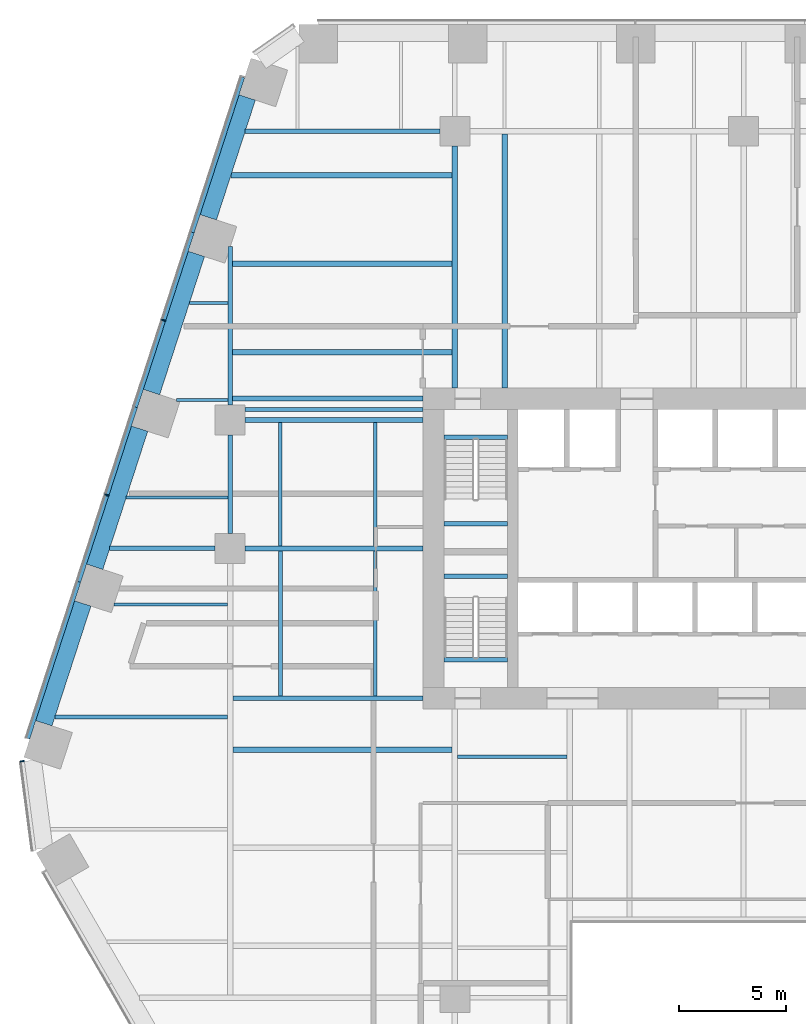
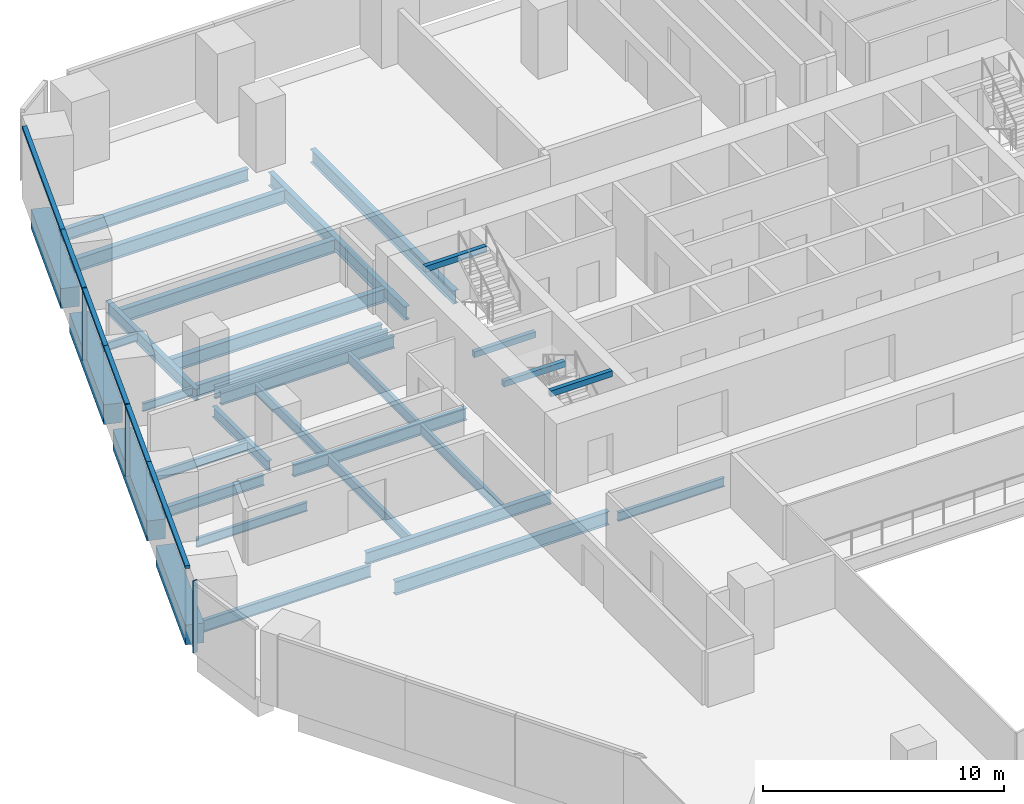
# One storey, part 8 of 21: 33 beams, 9 members, 2 elements without a shape of their own.
"""IFC4 building model written with IfcOpenShell, lengths in metres."""

from ifc_helpers import new_model, si_unit, direction, frame, origin, origin_2d, place, context, subcontext, project, spatial, rectangle, i_section, extrude, material, layer, layer_set, material_profile, profile_set, type_object, element, aggregate, save


model = new_model("IFC4")

# Units and contexts
model_context = context("Model", 3, precision=1e-05, world=origin(), true_north=direction((0.0, 1.0)))
body_context = subcontext(model_context, "Body", "Model", "MODEL_VIEW")
ifc_project = project(units=[si_unit("LENGTHUNIT", "METRE"), si_unit("AREAUNIT", "SQUARE_METRE"), si_unit("VOLUMEUNIT", "CUBIC_METRE"), si_unit("PLANEANGLEUNIT", "RADIAN"), si_unit("MASSUNIT", "GRAM", prefix="KILO")], contexts=[model_context])

# Site, building, storey
site_placement = place(None, origin())
site = spatial("IfcSite", under=ifc_project, at=site_placement, CompositionType="ELEMENT")
building_placement = place(site_placement, origin())
building = spatial("IfcBuilding", under=site, at=building_placement, Name="Isthmus Gate Tower", CompositionType="ELEMENT")
storey_placement = place(building_placement, frame((0.0, 0.0, 50.60009765625)))
storey = spatial("IfcBuildingStorey", under=building, at=storey_placement, Name="L10", CompositionType="ELEMENT", Elevation=50.60009765625)

# Curtain wall, members
ifc_material_1 = material(Name="Aluminium, pale champagne anodised", Category="aluminium")
ifc_layer = layer(ifc_material_1, 0.199951171875)
ifc_layer_set = layer_set([ifc_layer], Name="CW-1 UNITISED CURTAIN WALL 200 DEEP")
curtain_wall_type = type_object("IfcCurtainWallType", Name="CW-1 UNITISED CURTAIN WALL 200 DEEP", PredefinedType="NOTDEFINED", material=ifc_layer_set)
curtain_wall_1_placement = place(storey_placement, origin())
curtain_wall_1 = element("IfcCurtainWall", 1, at=curtain_wall_1_placement, inside=storey, type_object=curtain_wall_type, Name="CW-1 NW L10", PredefinedType="NOTDEFINED")
ifc_material_2 = material(Name="Aluminium, pale champagne anodised", Category="aluminium")
ifc_material_profile_1 = material_profile(ifc_material_2, rectangle(XDim=0.06005859375, YDim=0.199951171875, at=origin_2d()), Name="60x200")
ifc_profile_set_1 = profile_set([ifc_material_profile_1], Name="Aluminium, pale champagne anodised")
member_type_1 = type_object("IfcMemberType", Name="CW-1 MULLION 60 X 200", PredefinedType="MULLION", material=ifc_profile_set_1)
member_1_placement = place(storey_placement, frame((-27.11474609375, 18.163818359375, 0.0), z_axis=(0.0, 0.0, 1.0), x_axis=(-0.309016994375, -0.951056516295, 0.0)))
member_1 = element("IfcMember", 2, at=member_1_placement, type_object=member_type_1, Name="CW-1 mullion", PredefinedType="MULLION", context=body_context, shape_type="SweptSolid", body=[
    extrude(rectangle(XDim=0.06005859375, YDim=0.199951171875, at=origin_2d()), origin(), (0.0, 0.0, 1.0), 3.64990234375),
])
member_2_placement = place(storey_placement, frame((-29.76904296875, 9.994873046875, 0.0), z_axis=(0.0, 0.0, 1.0), x_axis=(-0.309016994375, -0.951056516295, 0.0)))
member_2 = element("IfcMember", 3, at=member_2_placement, type_object=member_type_1, Name="CW-1 mullion", PredefinedType="MULLION", context=body_context, shape_type="SweptSolid", body=[
    extrude(rectangle(XDim=0.06005859375, YDim=0.199951171875, at=origin_2d()), origin(), (0.0, 0.0, 1.0), 3.64990234375),
])

# Curtain wall, member
curtain_wall_2_placement = place(storey_placement, origin())
curtain_wall_2 = element("IfcCurtainWall", 4, at=curtain_wall_2_placement, inside=storey, type_object=curtain_wall_type, Name="CW-1 NW-SW L10", PredefinedType="NOTDEFINED")
member_3_placement = place(storey_placement, frame((-33.722900390625, -2.44482421875, 0.0), z_axis=(0.0, 0.0, 1.0), x_axis=(0.129164534, -0.991623175988, 0.0)))
member_3 = element("IfcMember", 5, at=member_3_placement, type_object=member_type_1, Name="CW-1 mullion", PredefinedType="MULLION", context=body_context, shape_type="SweptSolid", body=[
    extrude(rectangle(XDim=0.06005859375, YDim=0.199951171875, at=origin_2d()), origin(), (0.0, 0.0, 1.0), 3.64990234375),
])
aggregate(curtain_wall_2, [member_3])

# Member
ifc_material_3 = material(Name="Aluminium, pale champagne anodised", Category="aluminium")
ifc_material_profile_2 = material_profile(ifc_material_3, rectangle(XDim=0.199951171875, YDim=0.14990234375, at=origin_2d()), Name="200x150")
ifc_profile_set_2 = profile_set([ifc_material_profile_2], Name="Aluminium, pale champagne anodised")
member_type_2 = type_object("IfcMemberType", Name="CW-1 TRANSOM 200 X 150", PredefinedType="USERDEFINED", material=ifc_profile_set_2)
member_4_placement = place(storey_placement, frame((-23.4208984375, 29.532958984375, 3.574951171875), z_axis=(-0.309018780445, -0.951055935964, 0.0), x_axis=(0.951055935964, -0.309018780445, 0.0)))
member_4 = element("IfcMember", 6, at=member_4_placement, type_object=member_type_2, Name="CW-1 transom", ObjectType="TRANSOM", PredefinedType="USERDEFINED", context=body_context, shape_type="SweptSolid", body=[
    extrude(rectangle(XDim=0.199951171875, YDim=0.14990234375, at=origin_2d()), origin(), (0.0, 0.0, 1.0), 7.629638671875),
])

member_5_placement = place(storey_placement, frame((-25.778564453125, 22.27685546875, 3.574951171875), z_axis=(-0.309021801109, -0.951054954479, 0.0), x_axis=(0.951054954479, -0.309021801109, 0.0)))
member_5 = element("IfcMember", 7, at=member_5_placement, type_object=member_type_2, Name="CW-1 transom", ObjectType="TRANSOM", PredefinedType="USERDEFINED", context=body_context, shape_type="SweptSolid", body=[
    extrude(rectangle(XDim=0.199951171875, YDim=0.14990234375, at=origin_2d()), origin(), (0.0, 0.0, 1.0), 4.294677734375),
])

member_6_placement = place(storey_placement, frame((-27.1240234375, 18.13525390625, 3.574951171875), z_axis=(-0.309023496777, -0.951054403512, 0.0), x_axis=(0.951054403512, -0.309023496777, 0.0)))
member_6 = element("IfcMember", 8, at=member_6_placement, type_object=member_type_2, Name="CW-1 transom", ObjectType="TRANSOM", PredefinedType="USERDEFINED", context=body_context, shape_type="SweptSolid", body=[
    extrude(rectangle(XDim=0.199951171875, YDim=0.14990234375, at=origin_2d()), origin(), (0.0, 0.0, 1.0), 4.234619140625),
])

member_7_placement = place(storey_placement, frame((-28.4326171875, 14.10791015625, 3.574951171875), z_axis=(-0.309021801109, -0.951054954479, 0.0), x_axis=(0.951054954479, -0.309021801109, 0.0)))
member_7 = element("IfcMember", 9, at=member_7_placement, type_object=member_type_2, Name="CW-1 transom", ObjectType="TRANSOM", PredefinedType="USERDEFINED", context=body_context, shape_type="SweptSolid", body=[
    extrude(rectangle(XDim=0.199951171875, YDim=0.14990234375, at=origin_2d()), origin(), (0.0, 0.0, 1.0), 4.294677734375),
])

member_8_placement = place(storey_placement, frame((-29.7783203125, 9.96630859375, 3.574951171875), z_axis=(-0.309023496777, -0.951054403512, 0.0), x_axis=(0.951054403512, -0.309023496777, 0.0)))
member_8 = element("IfcMember", 10, at=member_8_placement, type_object=member_type_2, Name="CW-1 transom", ObjectType="TRANSOM", PredefinedType="USERDEFINED", context=body_context, shape_type="SweptSolid", body=[
    extrude(rectangle(XDim=0.199951171875, YDim=0.14990234375, at=origin_2d()), origin(), (0.0, 0.0, 1.0), 4.234619140625),
])

member_9_placement = place(storey_placement, frame((-31.0869140625, 5.93896484375, 3.574951171875), z_axis=(-0.30902720148, -0.951053199745, 0.0), x_axis=(0.951053199745, -0.30902720148, 0.0)))
member_9 = element("IfcMember", 11, at=member_9_placement, type_object=member_type_2, Name="CW-1 transom", ObjectType="TRANSOM", PredefinedType="USERDEFINED", context=body_context, shape_type="SweptSolid", body=[
    extrude(rectangle(XDim=0.199951171875, YDim=0.14990234375, at=origin_2d()), origin(), (0.0, 0.0, 1.0), 7.689453125),
])

aggregate(curtain_wall_1, [member_4, member_5, member_1, member_6, member_7, member_2, member_8, member_9])

# Beams
ifc_material_4 = material(Name="Concrete f'c 70 MPa", Category="concrete")
ifc_material_profile_3 = material_profile(ifc_material_4, rectangle(XDim=0.800048828125, YDim=1.0, at=origin_2d()), Name="RC 800X1000")
ifc_profile_set_3 = profile_set([ifc_material_profile_3], Name="Concrete f'c 70 MPa")
beam_type_1 = type_object("IfcBeamType", Name="RC SPANDREL 800 X 1000", PredefinedType="SPANDREL", material=ifc_profile_set_3)
beam_1_placement = place(storey_placement, frame((-32.70947265625, -0.672607421875, -0.5), z_axis=(0.309005457803, 0.951060264677, 0.0), x_axis=(-0.951060264677, 0.309005457803, 0.0)))
element("IfcBeam", 12, at=beam_1_placement, inside=storey, type_object=beam_type_1, Name="str-spandrel-L10-18", PredefinedType="SPANDREL", context=body_context, shape_type="SweptSolid", body=[
    extrude(rectangle(XDim=0.800048828125, YDim=1.0, at=origin_2d()), origin(), (0.0, 0.0, 1.0), 5.889404296875),
])
for number, where, z_axis, x_axis, name in (
    (13, (-30.333251953125, 6.640380859375, -0.5), (0.30900150794, 0.951061548004, 0.0), (-0.951061548004, 0.30900150794, 0.0), "str-spandrel-L10-19"),
    (14, (-27.67919921875, 14.809326171875, -0.5), (0.309034033576, 0.951050979754, 0.0), (-0.951050979754, 0.309034033576, 0.0), "str-spandrel-L10-20"),
):
    element("IfcBeam", number, at=place(storey_placement, frame(where, z_axis=z_axis, x_axis=x_axis)), inside=storey, type_object=beam_type_1, Name=name, PredefinedType="SPANDREL", context=body_context, shape_type="SweptSolid", body=[
        extrude(rectangle(XDim=0.800048828125, YDim=1.0, at=origin_2d()), origin(), (0.0, 0.0, 1.0), 6.789306640625),
    ])
beam_2_placement = place(storey_placement, frame((-25.02490234375, 22.978271484375, -0.5), z_axis=(0.309042953764, 0.951048081187, 0.0), x_axis=(-0.951048081187, 0.309042953764, 0.0)))
element("IfcBeam", 15, at=beam_2_placement, inside=storey, type_object=beam_type_1, Name="str-spandrel-L10-21", PredefinedType="SPANDREL", context=body_context, shape_type="SweptSolid", body=[
    extrude(rectangle(XDim=0.800048828125, YDim=1.0, at=origin_2d()), origin(), (0.0, 0.0, 1.0), 5.889404296875),
])
ifc_material_5 = material(Name="Concrete f'c 40 MPa", Category="concrete")
ifc_material_profile_4 = material_profile(ifc_material_5, rectangle(XDim=0.199951171875, YDim=0.300048828125, at=origin_2d()), Name="STAIR LANDING BEAM RC 200 X 300")
ifc_profile_set_4 = profile_set([ifc_material_profile_4], Name="Concrete f'c 40 MPa")
beam_type_2 = type_object("IfcBeamType", Name="STAIR LANDING BEAM RC 200 X 300", PredefinedType="BEAM", material=ifc_profile_set_4)
for number, where, z_axis, x_axis, name in (
    (16, (-14.0, 8.64990234375, 1.474853515625), (1.0, 0.0, 0.0), (0.0, 1.0, 0.0), "L10 ST1 landing beam 1"),
    (17, (-14.0, 12.7001953125, 3.349853515625), (1.0, 0.0, 0.0), (0.0, 1.0, 0.0), "L10 ST1 floor-edge seat beam"),
    (18, (-14.0, 6.199951171875, 1.474853515625), (1.0, 0.0, 0.0), (0.0, 1.0, 0.0), "L10 ST7 landing beam 1"),
    (19, (-14.0, 2.2998046875, 3.349853515625), (1.0, 0.0, 0.0), (0.0, 1.0, 0.0), "L10 ST7 floor-edge seat beam"),
):
    element("IfcBeam", number, at=place(storey_placement, frame(where, z_axis=z_axis, x_axis=x_axis)), inside=storey, type_object=beam_type_2, Name=name, PredefinedType="BEAM", context=body_context, shape_type="SweptSolid", body=[
        extrude(rectangle(XDim=0.199951171875, YDim=0.300048828125, at=origin_2d()), origin(), (0.0, 0.0, 1.0), 2.949951171875),
    ])
ifc_material_6 = material(Name="Structural steel ASTM A992 Gr 50", Category="steel")
ifc_material_profile_5 = material_profile(ifc_material_6, i_section(OverallWidth=0.1396484375, OverallDepth=0.4033203125, WebThickness=0.00634765625, FlangeThickness=0.010986328125, at=origin_2d()), Name="W16X31")
ifc_profile_set_5 = profile_set([ifc_material_profile_5], Name="Structural steel ASTM A992 Gr 50")
beam_type_3 = type_object("IfcBeamType", Name="STEEL FLOOR BEAM W16X31", PredefinedType="JOIST", material=ifc_profile_set_5)
beam_3_placement = place(storey_placement, frame((-26.503662109375, 14.427490234375, -0.351806640625), z_axis=(1.0, 0.0, 0.0), x_axis=(0.0, 1.0, 0.0)))
element("IfcBeam", 20, at=beam_3_placement, inside=storey, type_object=beam_type_3, Name="str-beam-L10-01-01", PredefinedType="JOIST", context=body_context, shape_type="SweptSolid", body=[
    extrude(i_section(OverallWidth=0.1396484375, OverallDepth=0.4033203125, WebThickness=0.00634765625, FlangeThickness=0.010986328125, at=origin_2d()), origin(), (0.0, 0.0, 1.0), 2.389404296875),
])
beam_4_placement = place(storey_placement, frame((-25.90478515625, 18.975830078125, -0.351806640625), z_axis=(1.0, 0.0, 0.0), x_axis=(0.0, 1.0, 0.0)))
element("IfcBeam", 21, at=beam_4_placement, inside=storey, type_object=beam_type_3, Name="str-beam-L10-01-02", PredefinedType="JOIST", context=body_context, shape_type="SweptSolid", body=[
    extrude(i_section(OverallWidth=0.1396484375, OverallDepth=0.4033203125, WebThickness=0.00634765625, FlangeThickness=0.010986328125, at=origin_2d()), origin(), (0.0, 0.0, 1.0), 1.79052734375),
])
ifc_material_7 = material(Name="Structural steel ASTM A992 Gr 50", Category="steel")
ifc_material_profile_6 = material_profile(ifc_material_7, i_section(OverallWidth=0.15234375, OverallDepth=0.45068359375, WebThickness=0.0078125, FlangeThickness=0.010986328125, at=origin_2d()), Name="W18X35")
ifc_profile_set_6 = profile_set([ifc_material_profile_6], Name="Structural steel ASTM A992 Gr 50")
beam_type_4 = type_object("IfcBeamType", Name="STEEL FLOOR BEAM W18X35", PredefinedType="JOIST", material=ifc_profile_set_6)
beam_5_placement = place(storey_placement, frame((-29.434814453125, 4.875, -0.37548828125), z_axis=(1.0, 0.0, 0.0), x_axis=(0.0, 1.0, 0.0)))
element("IfcBeam", 22, at=beam_5_placement, inside=storey, type_object=beam_type_4, Name="str-beam-L10-00-03", PredefinedType="JOIST", context=body_context, shape_type="SweptSolid", body=[
    extrude(i_section(OverallWidth=0.15234375, OverallDepth=0.45068359375, WebThickness=0.0078125, FlangeThickness=0.010986328125, at=origin_2d()), origin(), (0.0, 0.0, 1.0), 5.301513671875),
])
beam_6_placement = place(storey_placement, frame((-28.860595703125, 9.87890625, -0.37548828125), z_axis=(1.0, 0.0, 0.0), x_axis=(0.0, 1.0, 0.0)))
element("IfcBeam", 23, at=beam_6_placement, inside=storey, type_object=beam_type_4, Name="str-beam-L10-01-00", PredefinedType="JOIST", context=body_context, shape_type="SweptSolid", body=[
    extrude(i_section(OverallWidth=0.15234375, OverallDepth=0.45068359375, WebThickness=0.0078125, FlangeThickness=0.010986328125, at=origin_2d()), origin(), (0.0, 0.0, 1.0), 4.755859375),
])
beam_7_placement = place(storey_placement, frame((-13.3681640625, -2.232421875, -0.37548828125), z_axis=(1.0, 0.0, 0.0), x_axis=(0.0, 1.0, 0.0)))
element("IfcBeam", 24, at=beam_7_placement, inside=storey, type_object=beam_type_4, Name="str-beam-L10-11-02", PredefinedType="JOIST", context=body_context, shape_type="SweptSolid", body=[
    extrude(i_section(OverallWidth=0.15234375, OverallDepth=0.45068359375, WebThickness=0.0078125, FlangeThickness=0.010986328125, at=origin_2d()), origin(), (0.0, 0.0, 1.0), 5.1015625),
])
ifc_material_8 = material(Name="Structural steel ASTM A992 Gr 50", Category="steel")
ifc_material_profile_7 = material_profile(ifc_material_8, i_section(OverallWidth=0.1650390625, OverallDepth=0.52392578125, WebThickness=0.009521484375, FlangeThickness=0.010986328125, at=origin_2d()), Name="W21X44")
ifc_profile_set_7 = profile_set([ifc_material_profile_7], Name="Structural steel ASTM A992 Gr 50")
beam_type_5 = type_object("IfcBeamType", Name="STEEL FLOOR BEAM W21X44", PredefinedType="JOIST", material=ifc_profile_set_7)
for number, where, z_axis, x_axis, name in (
    (25, (-21.64990234375, 0.6142578125, -0.412109375), (0.0, 1.0, 0.0), (-1.0, 0.0, 0.0), "str-beam-L10-02-00"),
    (26, (-17.216552734375, 0.6142578125, -0.412109375), (0.0, 1.0, 0.0), (-1.0, 0.0, 0.0), "str-beam-L10-02-01"),
):
    element("IfcBeam", number, at=place(storey_placement, frame(where, z_axis=z_axis, x_axis=x_axis)), inside=storey, type_object=beam_type_5, Name=name, PredefinedType="JOIST", context=body_context, shape_type="SweptSolid", body=[
        extrude(i_section(OverallWidth=0.1650390625, OverallDepth=0.52392578125, WebThickness=0.009521484375, FlangeThickness=0.010986328125, at=origin_2d()), origin(), (0.0, 0.0, 1.0), 6.771484375),
    ])
for number, where, z_axis, x_axis, name in (
    (27, (-21.67138671875, 7.6142578125, -0.412109375), (0.0, 1.0, 0.0), (-1.0, 0.0, 0.0), "str-beam-L10-03-00"),
    (28, (-17.223876953125, 7.6142578125, -0.412109375), (0.0, 1.0, 0.0), (-1.0, 0.0, 0.0), "str-beam-L10-03-01"),
):
    element("IfcBeam", number, at=place(storey_placement, frame(where, z_axis=z_axis, x_axis=x_axis)), inside=storey, type_object=beam_type_5, Name=name, PredefinedType="JOIST", context=body_context, shape_type="SweptSolid", body=[
        extrude(i_section(OverallWidth=0.1650390625, OverallDepth=0.52392578125, WebThickness=0.009521484375, FlangeThickness=0.010986328125, at=origin_2d()), origin(), (0.0, 0.0, 1.0), 5.771484375),
    ])
ifc_material_9 = material(Name="Structural steel ASTM A992 Gr 50", Category="steel")
ifc_material_profile_8 = material_profile(ifc_material_9, i_section(OverallWidth=0.177734375, OverallDepth=0.60009765625, WebThickness=0.009521484375, FlangeThickness=0.0126953125, at=origin_2d()), Name="W24X55")
ifc_profile_set_8 = profile_set([ifc_material_profile_8], Name="Structural steel ASTM A992 Gr 50")
beam_type_6 = type_object("IfcBeamType", Name="STEEL FLOOR BEAM W24X55", PredefinedType="JOIST", material=ifc_profile_set_8)
beam_8_placement = place(storey_placement, frame((-32.192138671875, -0.375, -0.4501953125), z_axis=(1.0, 0.0, 0.0), x_axis=(0.0, 1.0, 0.0)))
element("IfcBeam", 29, at=beam_8_placement, inside=storey, type_object=beam_type_6, Name="str-beam-L10-00-02", PredefinedType="JOIST", context=body_context, shape_type="SweptSolid", body=[
    extrude(i_section(OverallWidth=0.177734375, OverallDepth=0.60009765625, WebThickness=0.009521484375, FlangeThickness=0.0126953125, at=origin_2d()), origin(), (0.0, 0.0, 1.0), 8.058837890625),
])
beam_9_placement = place(storey_placement, frame((-23.300048828125, 14.0, -0.4501953125), z_axis=(1.0, 0.0, 0.0), x_axis=(0.0, 1.0, 0.0)))
element("IfcBeam", 30, at=beam_9_placement, inside=storey, type_object=beam_type_6, Name="str-beam-L10-04-00", PredefinedType="JOIST", context=body_context, shape_type="SweptSolid", body=[
    extrude(i_section(OverallWidth=0.177734375, OverallDepth=0.60009765625, WebThickness=0.009521484375, FlangeThickness=0.0126953125, at=origin_2d()), origin(), (0.0, 0.0, 1.0), 8.300048828125),
])
ifc_material_10 = material(Name="Structural steel ASTM A992 Gr 50", Category="steel")
ifc_material_profile_9 = material_profile(ifc_material_10, i_section(OverallWidth=0.25390625, OverallDepth=0.679443359375, WebThickness=0.010986328125, FlangeThickness=0.015869140625, at=origin_2d()), Name="W27X84")
ifc_profile_set_9 = profile_set([ifc_material_profile_9], Name="Structural steel ASTM A992 Gr 50")
beam_type_7 = type_object("IfcBeamType", Name="STEEL FLOOR BEAM W27X84", PredefinedType="JOIST", material=ifc_profile_set_9)
for number, where, z_axis, x_axis, name in (
    (31, (-23.8857421875, 16.678466796875, -0.48974609375), (1.0, 0.0, 0.0), (0.0, 1.0, 0.0), "str-beam-L10-06-00"),
    (32, (-23.8857421875, 20.80712890625, -0.48974609375), (1.0, 0.0, 0.0), (0.0, 1.0, 0.0), "str-beam-L10-06-01"),
):
    element("IfcBeam", number, at=place(storey_placement, frame(where, z_axis=z_axis, x_axis=x_axis)), inside=storey, type_object=beam_type_7, Name=name, PredefinedType="JOIST", context=body_context, shape_type="SweptSolid", body=[
        extrude(i_section(OverallWidth=0.25390625, OverallDepth=0.679443359375, WebThickness=0.010986328125, FlangeThickness=0.015869140625, at=origin_2d()), origin(), (0.0, 0.0, 1.0), 10.2587890625),
    ])
beam_10_placement = place(storey_placement, frame((-23.96826171875, 24.935791015625, -0.48974609375), z_axis=(1.0, 0.0, 0.0), x_axis=(0.0, 1.0, 0.0)))
element("IfcBeam", 33, at=beam_10_placement, inside=storey, type_object=beam_type_7, Name="str-beam-L10-06-02", PredefinedType="JOIST", context=body_context, shape_type="SweptSolid", body=[
    extrude(i_section(OverallWidth=0.25390625, OverallDepth=0.679443359375, WebThickness=0.010986328125, FlangeThickness=0.015869140625, at=origin_2d()), origin(), (0.0, 0.0, 1.0), 10.34130859375),
])
beam_11_placement = place(storey_placement, frame((-23.86669921875, -1.90625, -0.48974609375), z_axis=(1.0, 0.0, 0.0), x_axis=(0.0, 1.0, 0.0)))
element("IfcBeam", 34, at=beam_11_placement, inside=storey, type_object=beam_type_7, Name="str-beam-L10-07-02", PredefinedType="JOIST", context=body_context, shape_type="SweptSolid", body=[
    extrude(i_section(OverallWidth=0.25390625, OverallDepth=0.679443359375, WebThickness=0.010986328125, FlangeThickness=0.015869140625, at=origin_2d()), origin(), (0.0, 0.0, 1.0), 10.23486328125),
])
beam_12_placement = place(storey_placement, frame((-11.165283203125, 15.0, -0.48974609375), z_axis=(0.0, 1.0, 0.0), x_axis=(-1.0, 0.0, 0.0)))
element("IfcBeam", 35, at=beam_12_placement, inside=storey, type_object=beam_type_7, Name="str-beam-L10-13-00", PredefinedType="JOIST", context=body_context, shape_type="SweptSolid", body=[
    extrude(i_section(OverallWidth=0.25390625, OverallDepth=0.679443359375, WebThickness=0.010986328125, FlangeThickness=0.015869140625, at=origin_2d()), origin(), (0.0, 0.0, 1.0), 11.8681640625),
])
ifc_material_11 = material(Name="Structural steel ASTM A992 Gr 50", Category="steel")
ifc_material_profile_10 = material_profile(ifc_material_11, i_section(OverallWidth=0.20947265625, OverallDepth=0.533447265625, WebThickness=0.009521484375, FlangeThickness=0.015869140625, at=origin_2d()), Name="W21X62")
ifc_profile_set_10 = profile_set([ifc_material_profile_10], Name="Structural steel ASTM A992 Gr 50")
beam_type_8 = type_object("IfcBeamType", Name="STEEL GIRDER W21X62", PredefinedType="BEAM", material=ifc_profile_set_10)
beam_13_placement = place(storey_placement, frame((-29.633544921875, 7.5, -0.416748046875), z_axis=(1.0, 0.0, 0.0), x_axis=(0.0, 1.0, 0.0)))
element("IfcBeam", 36, at=beam_13_placement, inside=storey, type_object=beam_type_8, Name="str-girder-L10-09", PredefinedType="BEAM", context=body_context, shape_type="SweptSolid", body=[
    extrude(i_section(OverallWidth=0.20947265625, OverallDepth=0.533447265625, WebThickness=0.009521484375, FlangeThickness=0.015869140625, at=origin_2d()), origin(), (0.0, 0.0, 1.0), 4.93359375),
])
beam_14_placement = place(storey_placement, frame((-24.0, 8.199951171875, -0.416748046875), z_axis=(0.0, 1.0, 0.0), x_axis=(-1.0, 0.0, 0.0)))
element("IfcBeam", 37, at=beam_14_placement, inside=storey, type_object=beam_type_8, Name="str-girder-L10-21", PredefinedType="BEAM", context=body_context, shape_type="SweptSolid", body=[
    extrude(i_section(OverallWidth=0.20947265625, OverallDepth=0.533447265625, WebThickness=0.009521484375, FlangeThickness=0.015869140625, at=origin_2d()), origin(), (0.0, 0.0, 1.0), 4.60009765625),
])
ifc_material_12 = material(Name="Structural steel ASTM A992 Gr 50", Category="steel")
ifc_material_profile_11 = material_profile(ifc_material_12, i_section(OverallWidth=0.228515625, OverallDepth=0.603271484375, WebThickness=0.010986328125, FlangeThickness=0.014404296875, at=origin_2d()), Name="W24X68")
ifc_profile_set_11 = profile_set([ifc_material_profile_11], Name="Structural steel ASTM A992 Gr 50")
beam_type_9 = type_object("IfcBeamType", Name="STEEL GIRDER W24X68", PredefinedType="BEAM", material=ifc_profile_set_11)
beam_15_placement = place(storey_placement, frame((-24.0, 14.199951171875, -0.45166015625), z_axis=(0.0, 1.0, 0.0), x_axis=(-1.0, 0.0, 0.0)))
element("IfcBeam", 38, at=beam_15_placement, inside=storey, type_object=beam_type_9, Name="str-girder-L10-22", PredefinedType="BEAM", context=body_context, shape_type="SweptSolid", body=[
    extrude(i_section(OverallWidth=0.228515625, OverallDepth=0.603271484375, WebThickness=0.010986328125, FlangeThickness=0.014404296875, at=origin_2d()), origin(), (0.0, 0.0, 1.0), 7.402099609375),
])
ifc_material_13 = material(Name="Structural steel ASTM A992 Gr 50", Category="steel")
ifc_material_profile_12 = material_profile(ifc_material_13, i_section(OverallWidth=0.228515625, OverallDepth=0.6064453125, WebThickness=0.010986328125, FlangeThickness=0.017578125, at=origin_2d()), Name="W24X76")
ifc_profile_set_12 = profile_set([ifc_material_profile_12], Name="Structural steel ASTM A992 Gr 50")
beam_type_10 = type_object("IfcBeamType", Name="STEEL GIRDER W24X76", PredefinedType="BEAM", material=ifc_profile_set_12)
for number, where, z_axis, x_axis, name in (
    (39, (-23.300048828125, 7.5, -0.453369140625), (1.0, 0.0, 0.0), (0.0, 1.0, 0.0), "str-girder-L10-10"),
    (40, (-23.300048828125, 13.5, -0.453369140625), (1.0, 0.0, 0.0), (0.0, 1.0, 0.0), "str-girder-L10-13"),
):
    element("IfcBeam", number, at=place(storey_placement, frame(where, z_axis=z_axis, x_axis=x_axis)), inside=storey, type_object=beam_type_10, Name=name, PredefinedType="BEAM", context=body_context, shape_type="SweptSolid", body=[
        extrude(i_section(OverallWidth=0.228515625, OverallDepth=0.6064453125, WebThickness=0.010986328125, FlangeThickness=0.017578125, at=origin_2d()), origin(), (0.0, 0.0, 1.0), 8.300048828125),
    ])
beam_16_placement = place(storey_placement, frame((-23.297607421875, 27.0, -0.453369140625), z_axis=(1.0, 0.0, 0.0), x_axis=(0.0, 1.0, 0.0)))
element("IfcBeam", 41, at=beam_16_placement, inside=storey, type_object=beam_type_10, Name="str-girder-L10-16", PredefinedType="BEAM", context=body_context, shape_type="SweptSolid", body=[
    extrude(i_section(OverallWidth=0.228515625, OverallDepth=0.6064453125, WebThickness=0.010986328125, FlangeThickness=0.017578125, at=origin_2d()), origin(), (0.0, 0.0, 1.0), 9.09765625),
])
beam_17_placement = place(storey_placement, frame((-15.0, 0.5, -0.453369140625), z_axis=(-1.0, 0.0, 0.0), x_axis=(0.0, -1.0, 0.0)))
element("IfcBeam", 42, at=beam_17_placement, inside=storey, type_object=beam_type_10, Name="str-girder-L10-38", PredefinedType="BEAM", context=body_context, shape_type="SweptSolid", body=[
    extrude(i_section(OverallWidth=0.228515625, OverallDepth=0.6064453125, WebThickness=0.010986328125, FlangeThickness=0.017578125, at=origin_2d()), origin(), (0.0, 0.0, 1.0), 8.86669921875),
])
beam_18_placement = place(storey_placement, frame((-15.0, 14.5, -0.453369140625), z_axis=(-1.0, 0.0, 0.0), x_axis=(0.0, -1.0, 0.0)))
element("IfcBeam", 43, at=beam_18_placement, inside=storey, type_object=beam_type_10, Name="str-girder-L10-40", PredefinedType="BEAM", context=body_context, shape_type="SweptSolid", body=[
    extrude(i_section(OverallWidth=0.228515625, OverallDepth=0.6064453125, WebThickness=0.010986328125, FlangeThickness=0.017578125, at=origin_2d()), origin(), (0.0, 0.0, 1.0), 8.8857421875),
])
ifc_material_14 = material(Name="Structural steel ASTM A992 Gr 50", Category="steel")
ifc_material_profile_13 = material_profile(ifc_material_14, i_section(OverallWidth=0.25390625, OverallDepth=0.679443359375, WebThickness=0.010986328125, FlangeThickness=0.015869140625, at=origin_2d()), Name="W27X84")
ifc_profile_set_13 = profile_set([ifc_material_profile_13], Name="Structural steel ASTM A992 Gr 50")
beam_type_11 = type_object("IfcBeamType", Name="STEEL GIRDER W27X84", PredefinedType="BEAM", material=ifc_profile_set_13)
beam_19_placement = place(storey_placement, frame((-13.5, 15.0, -0.48974609375), z_axis=(0.0, 1.0, 0.0), x_axis=(-1.0, 0.0, 0.0)))
element("IfcBeam", 44, at=beam_19_placement, inside=storey, type_object=beam_type_11, Name="str-girder-L10-26", PredefinedType="BEAM", context=body_context, shape_type="SweptSolid", body=[
    extrude(i_section(OverallWidth=0.25390625, OverallDepth=0.679443359375, WebThickness=0.010986328125, FlangeThickness=0.015869140625, at=origin_2d()), origin(), (0.0, 0.0, 1.0), 11.300048828125),
])

save(model, "model.ifc")
